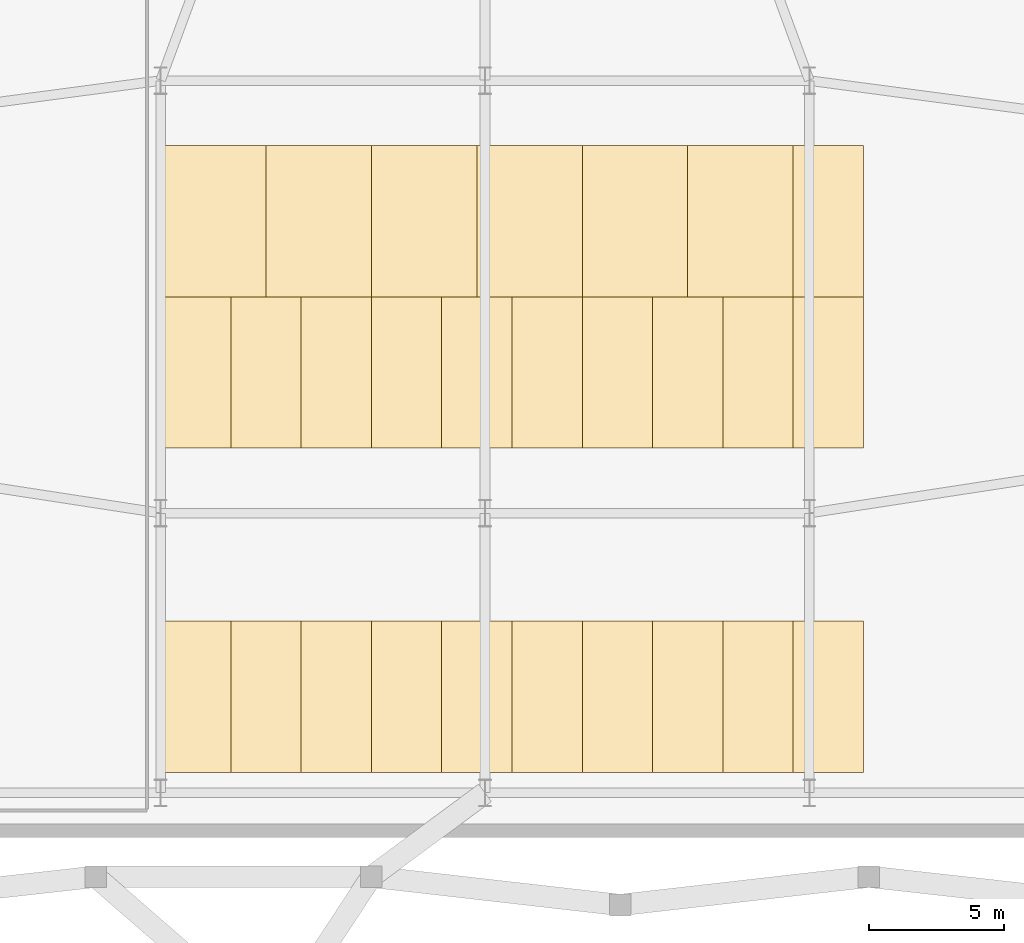
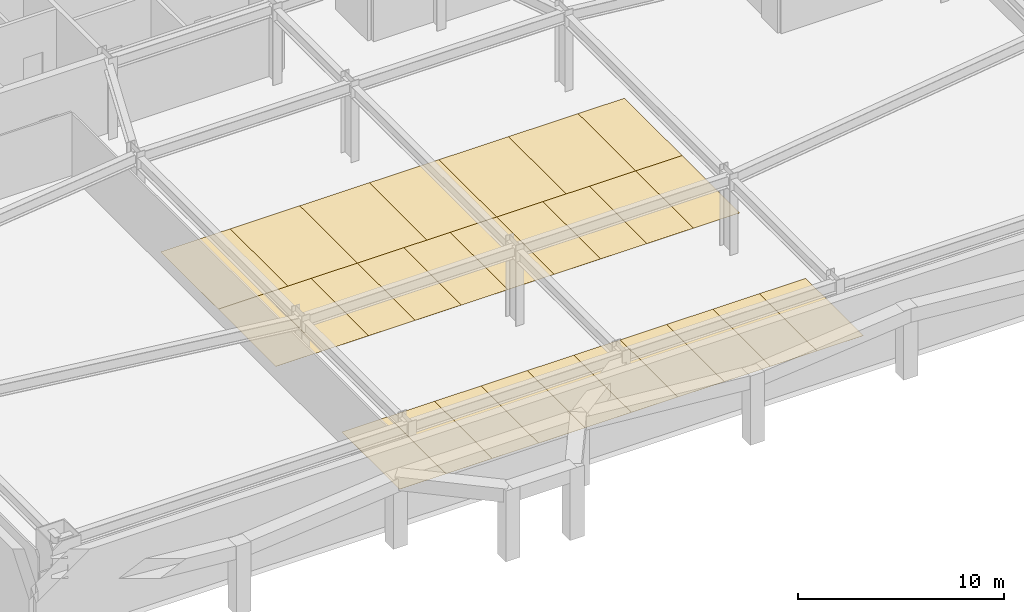
# One storey, part 7 of 9: 27 coverings.
"""IFC4 building model written with IfcOpenShell, lengths in metres."""

import ifcopenshell
import ifcopenshell.guid

model = None  # the IFC model being written
_history = None  # IfcOwnerHistory: only IFC2X3 demands one
_inside = {}  # id of a spatial element -> (the spatial element, [elements in it])
_under = {}  # id of a project, library or spatial element -> (it, [spatial elements below it])
_declared = {}  # id of a project -> (the project, [libraries it declares])
_typed = {}  # id of a type object -> (the type object, [elements of that type])
_made_of = {}  # id of a material, layer set ... -> (it, [elements and type objects made of it])


def new_model(schema):
    """Start an empty IFC model of exactly this schema.

    Asked for "IFC4X3", IfcOpenShell would pick the latest addendum, in which some entities
    have other attributes; the version numbers below select the first issue.
    IFC2X3 requires an IfcOwnerHistory on every rooted entity: one is made here for all.
    """
    global model, _history
    if schema == "IFC4X3":
        model = ifcopenshell.file(schema_version=(4, 3, 0, 0))
    else:
        model = ifcopenshell.file(schema=schema)
    _inside.clear()
    _under.clear()
    _declared.clear()
    _typed.clear()
    _made_of.clear()
    _history = None
    if model.schema == "IFC2X3":
        org = make("IfcOrganization", Name="unknown")
        user = make(
            "IfcPersonAndOrganization",
            ThePerson=make("IfcPerson", FamilyName="unknown"),
            TheOrganization=org,
        )
        app = make(
            "IfcApplication",
            ApplicationDeveloper=org,
            Version="unknown",
            ApplicationFullName="unknown",
            ApplicationIdentifier="unknown",
        )
        _history = make(
            "IfcOwnerHistory",
            OwningUser=user,
            OwningApplication=app,
            ChangeAction="ADDED",
            CreationDate=0,
        )
    return model


def make(cls, **values):
    """One entity of the class cls with the attributes given. An attribute that is None is left unset."""
    return model.create_entity(
        cls, **{name: value for name, value in values.items() if value is not None}
    )


def rooted(cls, **values):
    """An entity with a GlobalId (a new one), such as an element, a storey or a relation."""
    return make(cls, GlobalId=ifcopenshell.guid.new(), OwnerHistory=_history, **values)


def si_unit(unit_type, name, prefix=None):
    """IfcSIUnit, for example si_unit("LENGTHUNIT", "METRE", prefix="MILLI")."""
    return make("IfcSIUnit", UnitType=unit_type, Prefix=prefix, Name=name)


def assignment(units):
    """IfcUnitAssignment: the units of a project."""
    return None if units is None else make("IfcUnitAssignment", Units=units)


def point(xyz):
    """IfcCartesianPoint."""
    return None if xyz is None else make("IfcCartesianPoint", Coordinates=xyz)


def direction(xyz):
    """IfcDirection."""
    return None if xyz is None else make("IfcDirection", DirectionRatios=xyz)


def frame(location, z_axis=None, x_axis=None):
    """IfcAxis2Placement3D, a coordinate frame: its origin and axes. An axis left out is left unset."""
    return make(
        "IfcAxis2Placement3D",
        Location=point(location),
        Axis=direction(z_axis),
        RefDirection=direction(x_axis),
    )


def origin():
    """The frame at (0, 0, 0) with its axes left unset."""
    return frame((0.0, 0.0, 0.0))


def place(relative_to, where):
    """IfcLocalPlacement: puts the frame where relative to a parent placement (None: the world)."""
    return make(
        "IfcLocalPlacement", PlacementRelTo=relative_to, RelativePlacement=where
    )


def context(
    kind, dimensions, precision=None, world=None, true_north=None, identifier=None
):
    """IfcGeometricRepresentationContext, for example the 3D "Model" context."""
    return make(
        "IfcGeometricRepresentationContext",
        ContextIdentifier=identifier,
        ContextType=kind,
        CoordinateSpaceDimension=dimensions,
        Precision=precision,
        WorldCoordinateSystem=world,
        TrueNorth=true_north,
    )


def subcontext(parent, identifier, kind, view, scale=None):
    """IfcGeometricRepresentationSubContext, for example "Body" below "Model"."""
    return make(
        "IfcGeometricRepresentationSubContext",
        ContextIdentifier=identifier,
        ContextType=kind,
        ParentContext=parent,
        TargetScale=scale,
        TargetView=view,
    )


def project(units=None, contexts=None):
    """IfcProject with its units and contexts."""
    return rooted(
        "IfcProject",
        Name="project",
        RepresentationContexts=contexts,
        UnitsInContext=assignment(units),
    )


def spatial(cls, under=None, at=None, **own):
    """A site, building, storey or space (cls), placed at a placement, below another one or the project."""
    s = rooted(cls, ObjectPlacement=at, **own)
    if under is not None:
        _under.setdefault(under.id(), (under, []))[1].append(s)
    return s


def polyline(points):
    """IfcPolyline through the points."""
    return make("IfcPolyline", Points=[point(p) for p in points])


def outline(outer, holes=None, kind="AREA"):
    """IfcArbitraryClosedProfileDef: a profile drawn as a closed curve; with holes, ...WithVoids."""
    if holes is None:
        return make("IfcArbitraryClosedProfileDef", ProfileType=kind, OuterCurve=outer)
    return make(
        "IfcArbitraryProfileDefWithVoids",
        ProfileType=kind,
        OuterCurve=outer,
        InnerCurves=holes,
    )


def extrude(swept, where, along, depth):
    """IfcExtrudedAreaSolid: the profile swept, set in the frame where, extruded along a direction by depth."""
    return make(
        "IfcExtrudedAreaSolid",
        SweptArea=swept,
        Position=where,
        ExtrudedDirection=direction(along),
        Depth=depth,
    )


def shape(context_of_items, identifier, shape_type, items):
    """IfcShapeRepresentation: the items that make up one representation, for example the "Body"."""
    return make(
        "IfcShapeRepresentation",
        ContextOfItems=context_of_items,
        RepresentationIdentifier=identifier,
        RepresentationType=shape_type,
        Items=items,
    )


def material(Name=None, Category=None):
    """IfcMaterial."""
    return make("IfcMaterial", Name=Name, Category=Category)


def layer(
    of_material, thickness, ventilated=None, Name=None, Category=None, Priority=None
):
    """IfcMaterialLayer: one layer of a wall or slab, of a material (None: an air gap)."""
    return make(
        "IfcMaterialLayer",
        Material=of_material,
        LayerThickness=thickness,
        IsVentilated=ventilated,
        Name=Name,
        Category=Category,
        Priority=Priority,
    )


def layer_set(layers, Name=None):
    """IfcMaterialLayerSet."""
    return make("IfcMaterialLayerSet", MaterialLayers=layers, LayerSetName=Name)


def made_of(thing, what):
    """Note that an element or type object is made of a material, layer set ...; save() writes the relation."""
    if what is not None:
        _made_of.setdefault(what.id(), (what, []))[1].append(thing)
    return thing


def type_object(cls, material=None, **own):
    """A type object (cls), such as IfcWallType, which elements share."""
    return made_of(rooted(cls, **own), material)


def element(
    cls,
    number,
    at=None,
    inside=None,
    cuts=None,
    type_object=None,
    material=None,
    context=None,
    identifier="Body",
    shape_type=None,
    held_by="IfcProductDefinitionShape",
    body=None,
    shapes=None,
    **own,
):
    """One element of the class cls, such as IfcWall. Its Tag is "e" and its number.

    at: its placement. inside: the storey or other place that contains it. cuts: it is an
    opening in that element (IfcRelVoidsElement). A single representation is given by context,
    identifier, shape_type and body (its items); several are given by shapes. held_by: the class
    of the entity that holds the representations. save() writes the other relations.
    """
    e = rooted(cls, Tag="e%d" % number, ObjectPlacement=at, **own)
    if body is not None:
        shapes = [shape(context, identifier, shape_type, body)]
    if shapes is not None:
        e.Representation = make(held_by, Representations=shapes)
    if inside is not None:
        _inside.setdefault(inside.id(), (inside, []))[1].append(e)
    if cuts is not None:
        rooted(
            "IfcRelVoidsElement", RelatingBuildingElement=cuts, RelatedOpeningElement=e
        )
    if type_object is not None:
        _typed.setdefault(type_object.id(), (type_object, []))[1].append(e)
    return made_of(e, material)


def aggregate(whole, parts):
    """IfcRelAggregates: a whole, such as a stair, and the parts it consists of."""
    return rooted("IfcRelAggregates", RelatingObject=whole, RelatedObjects=parts)


def save(model, path):
    """Write the relations noted so far, then the file.

    IfcRelAggregates (storeys below a building ...), IfcRelContainedInSpatialStructure (elements
    in a storey), IfcRelDefinesByType, IfcRelAssociatesMaterial and IfcRelDeclares: one each for
    every whole, place, type object, material and project.
    """
    for whole, parts in _under.values():
        aggregate(whole, parts)
    for where, things in _inside.values():
        rooted(
            "IfcRelContainedInSpatialStructure",
            RelatedElements=things,
            RelatingStructure=where,
        )
    for kind, things in _typed.values():
        rooted("IfcRelDefinesByType", RelatedObjects=things, RelatingType=kind)
    for what, things in _made_of.values():
        rooted("IfcRelAssociatesMaterial", RelatedObjects=things, RelatingMaterial=what)
    for by, libraries in _declared.values():
        rooted("IfcRelDeclares", RelatingContext=by, RelatedDefinitions=libraries)
    model.write(path)


model = new_model("IFC4")

# Units and contexts
model_context = context("Model", 3, precision=1e-05, world=origin(), true_north=direction((0.0, 1.0)))
body_context = subcontext(model_context, "Body", "Model", "MODEL_VIEW")
ifc_project = project(units=[si_unit("LENGTHUNIT", "METRE"), si_unit("AREAUNIT", "SQUARE_METRE"), si_unit("VOLUMEUNIT", "CUBIC_METRE"), si_unit("PLANEANGLEUNIT", "RADIAN"), si_unit("MASSUNIT", "GRAM", prefix="KILO")], contexts=[model_context])

# Site, building, storey
site_placement = place(None, origin())
site = spatial("IfcSite", under=ifc_project, at=site_placement, CompositionType="ELEMENT")
building_placement = place(site_placement, origin())
building = spatial("IfcBuilding", under=site, at=building_placement, Name="Varnel Quay Broadcast Tower", CompositionType="ELEMENT")
storey_placement = place(building_placement, frame((0.0, 0.0, -4.800048828125)))
storey = spatial("IfcBuildingStorey", under=building, at=storey_placement, Name="B1", CompositionType="ELEMENT", Elevation=-4.800048828125)

# Coverings
ifc_material = material(Name="Traffic Marking Paint")
ifc_layer_1 = layer(ifc_material, 0.0048828125, Name="Traffic Marking Paint")
ifc_layer_set_1 = layer_set([ifc_layer_1], Name="Traffic Marking Paint")
covering_type_1 = type_object("IfcCoveringType", Name="Cov_ParkingStallB1Acc", PredefinedType="USERDEFINED", material=ifc_layer_set_1)
covering_1_placement = place(storey_placement, origin())
element("IfcCovering", 1, at=covering_1_placement, inside=storey, type_object=covering_type_1, Name="Accessible parking stall marking B1-A1", ObjectType="PARKING STALL MARKING", PredefinedType="USERDEFINED", context=body_context, shape_type="SweptSolid", body=[
    extrude(outline(polyline([(22.0, 20.0), (25.89990234375, 20.0), (25.89990234375, 25.60009765625), (22.0, 25.60009765625), (22.0, 20.0)])), origin(), (0.0, 0.0, 1.0), 0.005126953125),
])
covering_2_placement = place(storey_placement, origin())
element("IfcCovering", 2, at=covering_2_placement, inside=storey, type_object=covering_type_1, Name="Accessible parking stall marking B1-A2", ObjectType="PARKING STALL MARKING", PredefinedType="USERDEFINED", context=body_context, shape_type="SweptSolid", body=[
    extrude(outline(polyline([(25.89990234375, 20.0), (29.800048828125, 20.0), (29.800048828125, 25.60009765625), (25.89990234375, 25.60009765625), (25.89990234375, 20.0)])), origin(), (0.0, 0.0, 1.0), 0.005126953125),
])
covering_3_placement = place(storey_placement, origin())
element("IfcCovering", 3, at=covering_3_placement, inside=storey, type_object=covering_type_1, Name="Accessible parking stall marking B1-A3", ObjectType="PARKING STALL MARKING", PredefinedType="USERDEFINED", context=body_context, shape_type="SweptSolid", body=[
    extrude(outline(polyline([(29.800048828125, 20.0), (33.699951171875, 20.0), (33.699951171875, 25.60009765625), (29.800048828125, 25.60009765625), (29.800048828125, 20.0)])), origin(), (0.0, 0.0, 1.0), 0.005126953125),
])
covering_4_placement = place(storey_placement, origin())
element("IfcCovering", 4, at=covering_4_placement, inside=storey, type_object=covering_type_1, Name="Accessible parking stall marking B1-A4", ObjectType="PARKING STALL MARKING", PredefinedType="USERDEFINED", context=body_context, shape_type="SweptSolid", body=[
    extrude(outline(polyline([(33.699951171875, 20.0), (37.60009765625, 20.0), (37.60009765625, 25.60009765625), (33.699951171875, 25.60009765625), (33.699951171875, 20.0)])), origin(), (0.0, 0.0, 1.0), 0.005126953125),
])
covering_5_placement = place(storey_placement, origin())
element("IfcCovering", 5, at=covering_5_placement, inside=storey, type_object=covering_type_1, Name="Accessible parking stall marking B1-A5", ObjectType="PARKING STALL MARKING", PredefinedType="USERDEFINED", context=body_context, shape_type="SweptSolid", body=[
    extrude(outline(polyline([(37.60009765625, 20.0), (41.5, 20.0), (41.5, 25.60009765625), (37.60009765625, 25.60009765625), (37.60009765625, 20.0)])), origin(), (0.0, 0.0, 1.0), 0.005126953125),
])
covering_6_placement = place(storey_placement, origin())
element("IfcCovering", 6, at=covering_6_placement, inside=storey, type_object=covering_type_1, Name="Accessible parking stall marking B1-A6", ObjectType="PARKING STALL MARKING", PredefinedType="USERDEFINED", context=body_context, shape_type="SweptSolid", body=[
    extrude(outline(polyline([(41.5, 20.0), (45.39990234375, 20.0), (45.39990234375, 25.60009765625), (41.5, 25.60009765625), (41.5, 20.0)])), origin(), (0.0, 0.0, 1.0), 0.005126953125),
])
ifc_layer_2 = layer(ifc_material, 0.0048828125, Name="Traffic Marking Paint")
ifc_layer_set_2 = layer_set([ifc_layer_2], Name="Traffic Marking Paint")
covering_type_2 = type_object("IfcCoveringType", Name="Cov_ParkingStallB1Std", PredefinedType="USERDEFINED", material=ifc_layer_set_2)
covering_7_placement = place(storey_placement, origin())
element("IfcCovering", 7, at=covering_7_placement, inside=storey, type_object=covering_type_2, Name="Parking stall marking B1-01", ObjectType="PARKING STALL MARKING", PredefinedType="USERDEFINED", context=body_context, shape_type="SweptSolid", body=[
    extrude(outline(polyline([(22.0, 2.39990234375), (24.60009765625, 2.39990234375), (24.60009765625, 8.0), (22.0, 8.0), (22.0, 2.39990234375)])), origin(), (0.0, 0.0, 1.0), 0.005126953125),
])
covering_8_placement = place(storey_placement, origin())
element("IfcCovering", 8, at=covering_8_placement, inside=storey, type_object=covering_type_2, Name="Parking stall marking B1-02", ObjectType="PARKING STALL MARKING", PredefinedType="USERDEFINED", context=body_context, shape_type="SweptSolid", body=[
    extrude(outline(polyline([(24.60009765625, 2.39990234375), (27.199951171875, 2.39990234375), (27.199951171875, 8.0), (24.60009765625, 8.0), (24.60009765625, 2.39990234375)])), origin(), (0.0, 0.0, 1.0), 0.005126953125),
])
covering_9_placement = place(storey_placement, origin())
element("IfcCovering", 9, at=covering_9_placement, inside=storey, type_object=covering_type_2, Name="Parking stall marking B1-03", ObjectType="PARKING STALL MARKING", PredefinedType="USERDEFINED", context=body_context, shape_type="SweptSolid", body=[
    extrude(outline(polyline([(27.199951171875, 2.39990234375), (29.800048828125, 2.39990234375), (29.800048828125, 8.0), (27.199951171875, 8.0), (27.199951171875, 2.39990234375)])), origin(), (0.0, 0.0, 1.0), 0.005126953125),
])
covering_10_placement = place(storey_placement, origin())
element("IfcCovering", 10, at=covering_10_placement, inside=storey, type_object=covering_type_2, Name="Parking stall marking B1-04", ObjectType="PARKING STALL MARKING", PredefinedType="USERDEFINED", context=body_context, shape_type="SweptSolid", body=[
    extrude(outline(polyline([(29.800048828125, 2.39990234375), (32.39990234375, 2.39990234375), (32.39990234375, 8.0), (29.800048828125, 8.0), (29.800048828125, 2.39990234375)])), origin(), (0.0, 0.0, 1.0), 0.005126953125),
])
covering_11_placement = place(storey_placement, origin())
element("IfcCovering", 11, at=covering_11_placement, inside=storey, type_object=covering_type_2, Name="Parking stall marking B1-05", ObjectType="PARKING STALL MARKING", PredefinedType="USERDEFINED", context=body_context, shape_type="SweptSolid", body=[
    extrude(outline(polyline([(32.39990234375, 2.39990234375), (35.0, 2.39990234375), (35.0, 8.0), (32.39990234375, 8.0), (32.39990234375, 2.39990234375)])), origin(), (0.0, 0.0, 1.0), 0.005126953125),
])
covering_12_placement = place(storey_placement, origin())
element("IfcCovering", 12, at=covering_12_placement, inside=storey, type_object=covering_type_2, Name="Parking stall marking B1-06", ObjectType="PARKING STALL MARKING", PredefinedType="USERDEFINED", context=body_context, shape_type="SweptSolid", body=[
    extrude(outline(polyline([(35.0, 2.39990234375), (37.60009765625, 2.39990234375), (37.60009765625, 8.0), (35.0, 8.0), (35.0, 2.39990234375)])), origin(), (0.0, 0.0, 1.0), 0.005126953125),
])
covering_13_placement = place(storey_placement, origin())
element("IfcCovering", 13, at=covering_13_placement, inside=storey, type_object=covering_type_2, Name="Parking stall marking B1-07", ObjectType="PARKING STALL MARKING", PredefinedType="USERDEFINED", context=body_context, shape_type="SweptSolid", body=[
    extrude(outline(polyline([(37.60009765625, 2.39990234375), (40.199951171875, 2.39990234375), (40.199951171875, 8.0), (37.60009765625, 8.0), (37.60009765625, 2.39990234375)])), origin(), (0.0, 0.0, 1.0), 0.005126953125),
])
covering_14_placement = place(storey_placement, origin())
element("IfcCovering", 14, at=covering_14_placement, inside=storey, type_object=covering_type_2, Name="Parking stall marking B1-08", ObjectType="PARKING STALL MARKING", PredefinedType="USERDEFINED", context=body_context, shape_type="SweptSolid", body=[
    extrude(outline(polyline([(40.199951171875, 2.39990234375), (42.800048828125, 2.39990234375), (42.800048828125, 8.0), (40.199951171875, 8.0), (40.199951171875, 2.39990234375)])), origin(), (0.0, 0.0, 1.0), 0.005126953125),
])
covering_15_placement = place(storey_placement, origin())
element("IfcCovering", 15, at=covering_15_placement, inside=storey, type_object=covering_type_2, Name="Parking stall marking B1-09", ObjectType="PARKING STALL MARKING", PredefinedType="USERDEFINED", context=body_context, shape_type="SweptSolid", body=[
    extrude(outline(polyline([(42.800048828125, 2.39990234375), (45.39990234375, 2.39990234375), (45.39990234375, 8.0), (42.800048828125, 8.0), (42.800048828125, 2.39990234375)])), origin(), (0.0, 0.0, 1.0), 0.005126953125),
])
covering_16_placement = place(storey_placement, origin())
element("IfcCovering", 16, at=covering_16_placement, inside=storey, type_object=covering_type_2, Name="Parking stall marking B1-10", ObjectType="PARKING STALL MARKING", PredefinedType="USERDEFINED", context=body_context, shape_type="SweptSolid", body=[
    extrude(outline(polyline([(45.39990234375, 2.39990234375), (48.0, 2.39990234375), (48.0, 8.0), (45.39990234375, 8.0), (45.39990234375, 2.39990234375)])), origin(), (0.0, 0.0, 1.0), 0.005126953125),
])
covering_17_placement = place(storey_placement, origin())
element("IfcCovering", 17, at=covering_17_placement, inside=storey, type_object=covering_type_2, Name="Parking stall marking B1-11", ObjectType="PARKING STALL MARKING", PredefinedType="USERDEFINED", context=body_context, shape_type="SweptSolid", body=[
    extrude(outline(polyline([(22.0, 14.39990234375), (24.60009765625, 14.39990234375), (24.60009765625, 20.0), (22.0, 20.0), (22.0, 14.39990234375)])), origin(), (0.0, 0.0, 1.0), 0.005126953125),
])
covering_18_placement = place(storey_placement, origin())
element("IfcCovering", 18, at=covering_18_placement, inside=storey, type_object=covering_type_2, Name="Parking stall marking B1-12", ObjectType="PARKING STALL MARKING", PredefinedType="USERDEFINED", context=body_context, shape_type="SweptSolid", body=[
    extrude(outline(polyline([(24.60009765625, 14.39990234375), (27.199951171875, 14.39990234375), (27.199951171875, 20.0), (24.60009765625, 20.0), (24.60009765625, 14.39990234375)])), origin(), (0.0, 0.0, 1.0), 0.005126953125),
])
covering_19_placement = place(storey_placement, origin())
element("IfcCovering", 19, at=covering_19_placement, inside=storey, type_object=covering_type_2, Name="Parking stall marking B1-13", ObjectType="PARKING STALL MARKING", PredefinedType="USERDEFINED", context=body_context, shape_type="SweptSolid", body=[
    extrude(outline(polyline([(27.199951171875, 14.39990234375), (29.800048828125, 14.39990234375), (29.800048828125, 20.0), (27.199951171875, 20.0), (27.199951171875, 14.39990234375)])), origin(), (0.0, 0.0, 1.0), 0.005126953125),
])
covering_20_placement = place(storey_placement, origin())
element("IfcCovering", 20, at=covering_20_placement, inside=storey, type_object=covering_type_2, Name="Parking stall marking B1-14", ObjectType="PARKING STALL MARKING", PredefinedType="USERDEFINED", context=body_context, shape_type="SweptSolid", body=[
    extrude(outline(polyline([(29.800048828125, 14.39990234375), (32.39990234375, 14.39990234375), (32.39990234375, 20.0), (29.800048828125, 20.0), (29.800048828125, 14.39990234375)])), origin(), (0.0, 0.0, 1.0), 0.005126953125),
])
covering_21_placement = place(storey_placement, origin())
element("IfcCovering", 21, at=covering_21_placement, inside=storey, type_object=covering_type_2, Name="Parking stall marking B1-15", ObjectType="PARKING STALL MARKING", PredefinedType="USERDEFINED", context=body_context, shape_type="SweptSolid", body=[
    extrude(outline(polyline([(32.39990234375, 14.39990234375), (35.0, 14.39990234375), (35.0, 20.0), (32.39990234375, 20.0), (32.39990234375, 14.39990234375)])), origin(), (0.0, 0.0, 1.0), 0.005126953125),
])
covering_22_placement = place(storey_placement, origin())
element("IfcCovering", 22, at=covering_22_placement, inside=storey, type_object=covering_type_2, Name="Parking stall marking B1-16", ObjectType="PARKING STALL MARKING", PredefinedType="USERDEFINED", context=body_context, shape_type="SweptSolid", body=[
    extrude(outline(polyline([(35.0, 14.39990234375), (37.60009765625, 14.39990234375), (37.60009765625, 20.0), (35.0, 20.0), (35.0, 14.39990234375)])), origin(), (0.0, 0.0, 1.0), 0.005126953125),
])
covering_23_placement = place(storey_placement, origin())
element("IfcCovering", 23, at=covering_23_placement, inside=storey, type_object=covering_type_2, Name="Parking stall marking B1-17", ObjectType="PARKING STALL MARKING", PredefinedType="USERDEFINED", context=body_context, shape_type="SweptSolid", body=[
    extrude(outline(polyline([(37.60009765625, 14.39990234375), (40.199951171875, 14.39990234375), (40.199951171875, 20.0), (37.60009765625, 20.0), (37.60009765625, 14.39990234375)])), origin(), (0.0, 0.0, 1.0), 0.005126953125),
])
covering_24_placement = place(storey_placement, origin())
element("IfcCovering", 24, at=covering_24_placement, inside=storey, type_object=covering_type_2, Name="Parking stall marking B1-18", ObjectType="PARKING STALL MARKING", PredefinedType="USERDEFINED", context=body_context, shape_type="SweptSolid", body=[
    extrude(outline(polyline([(40.199951171875, 14.39990234375), (42.800048828125, 14.39990234375), (42.800048828125, 20.0), (40.199951171875, 20.0), (40.199951171875, 14.39990234375)])), origin(), (0.0, 0.0, 1.0), 0.005126953125),
])
covering_25_placement = place(storey_placement, origin())
element("IfcCovering", 25, at=covering_25_placement, inside=storey, type_object=covering_type_2, Name="Parking stall marking B1-19", ObjectType="PARKING STALL MARKING", PredefinedType="USERDEFINED", context=body_context, shape_type="SweptSolid", body=[
    extrude(outline(polyline([(42.800048828125, 14.39990234375), (45.39990234375, 14.39990234375), (45.39990234375, 20.0), (42.800048828125, 20.0), (42.800048828125, 14.39990234375)])), origin(), (0.0, 0.0, 1.0), 0.005126953125),
])
covering_26_placement = place(storey_placement, origin())
element("IfcCovering", 26, at=covering_26_placement, inside=storey, type_object=covering_type_2, Name="Parking stall marking B1-20", ObjectType="PARKING STALL MARKING", PredefinedType="USERDEFINED", context=body_context, shape_type="SweptSolid", body=[
    extrude(outline(polyline([(45.39990234375, 14.39990234375), (48.0, 14.39990234375), (48.0, 20.0), (45.39990234375, 20.0), (45.39990234375, 14.39990234375)])), origin(), (0.0, 0.0, 1.0), 0.005126953125),
])
covering_27_placement = place(storey_placement, origin())
element("IfcCovering", 27, at=covering_27_placement, inside=storey, type_object=covering_type_2, Name="Parking stall marking B1-21", ObjectType="PARKING STALL MARKING", PredefinedType="USERDEFINED", context=body_context, shape_type="SweptSolid", body=[
    extrude(outline(polyline([(45.39990234375, 20.0), (48.0, 20.0), (48.0, 25.60009765625), (45.39990234375, 25.60009765625), (45.39990234375, 20.0)])), origin(), (0.0, 0.0, 1.0), 0.005126953125),
])

save(model, "model.ifc")
